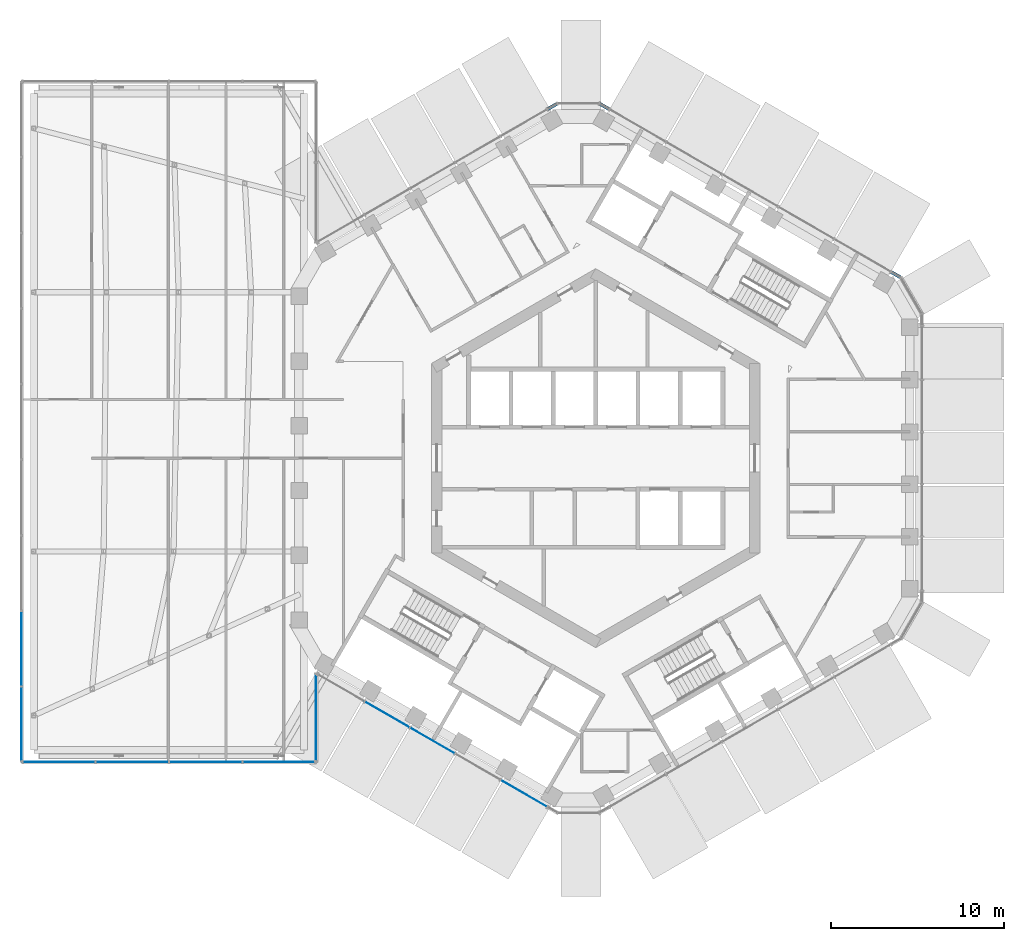
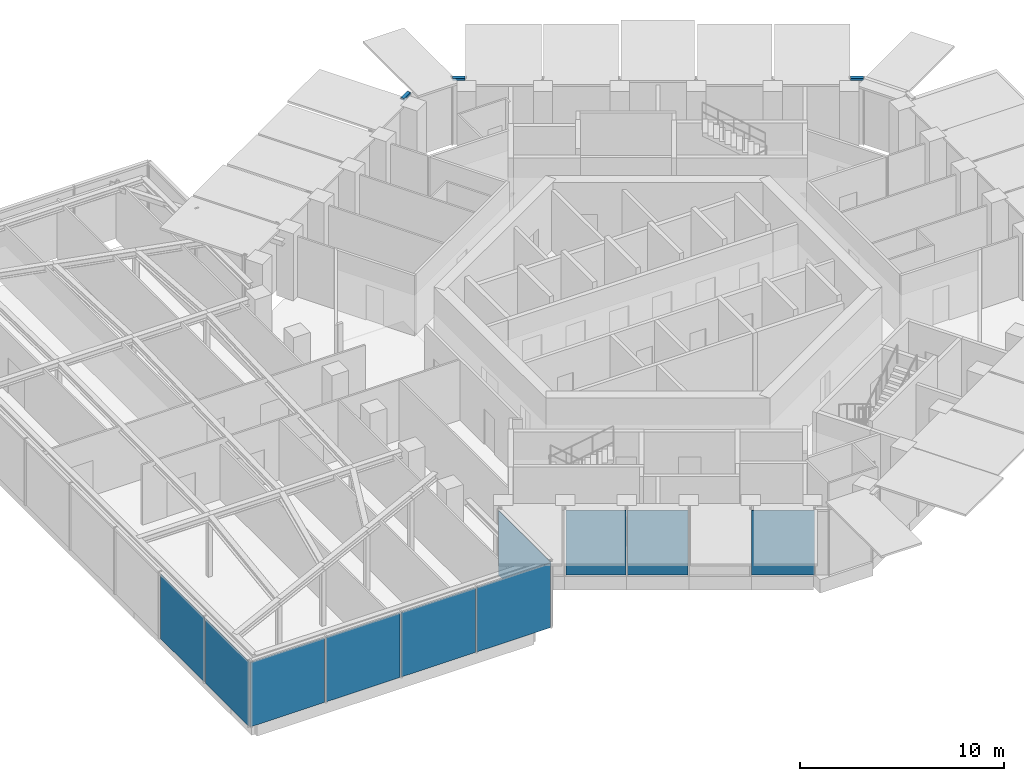
# One storey, part 9 of 24: 10 plates, 3 members, 6 elements without a shape of their own.
"""IFC4 building model written with IfcOpenShell, lengths in metres."""

from ifc_helpers import new_model, si_unit, direction, frame, origin, origin_2d, place, context, subcontext, project, spatial, rectangle, extrude, material, layer, layer_set, material_profile, profile_set, type_object, element, aggregate, save


model = new_model("IFC4")

# Units and contexts
model_context = context("Model", 3, precision=1e-05, world=origin(), true_north=direction((0.0, 1.0)))
body_context = subcontext(model_context, "Body", "Model", "MODEL_VIEW")
ifc_project = project(units=[si_unit("LENGTHUNIT", "METRE"), si_unit("AREAUNIT", "SQUARE_METRE"), si_unit("VOLUMEUNIT", "CUBIC_METRE"), si_unit("PLANEANGLEUNIT", "RADIAN"), si_unit("MASSUNIT", "GRAM", prefix="KILO")], contexts=[model_context])

# Site, building, storey
site_placement = place(None, origin())
site = spatial("IfcSite", under=ifc_project, at=site_placement, CompositionType="ELEMENT")
building_placement = place(site_placement, origin())
building = spatial("IfcBuilding", under=site, at=building_placement, Name="Ayvan Gate Tower", CompositionType="ELEMENT")
storey_placement = place(building_placement, frame((0.0, 0.0, 210.10009765625)))
storey = spatial("IfcBuildingStorey", under=building, at=storey_placement, Name="L56", CompositionType="ELEMENT", Elevation=210.10009765625)

# Curtain wall, member
ifc_material_1 = material(Name="Bronze anodised aluminium", Category="aluminium")
ifc_layer_1 = layer(ifc_material_1, 0.199951171875)
ifc_layer_set_1 = layer_set([ifc_layer_1], Name="Bronze anodised aluminium")
curtain_wall_type_1 = type_object("IfcCurtainWallType", Name="Stick curtain wall CW-6", PredefinedType="NOTDEFINED", material=ifc_layer_set_1)
curtain_wall_1_placement = place(storey_placement, origin())
curtain_wall_1 = element("IfcCurtainWall", 1, at=curtain_wall_1_placement, inside=storey, type_object=curtain_wall_type_1, Name="Stick curtain wall CW-6 L56", PredefinedType="NOTDEFINED")
ifc_material_profile = material_profile(ifc_material_1, rectangle(XDim=0.199951171875, YDim=0.1201171875, at=origin_2d()), Name="Stick curtain wall CW-6 transom 200 x 120")
ifc_profile_set = profile_set([ifc_material_profile], Name="Bronze anodised aluminium")
member_type = type_object("IfcMemberType", Name="Stick curtain wall CW-6 transom 200 x 120", PredefinedType="USERDEFINED", material=ifc_profile_set)
member_1_placement = place(storey_placement, frame((17.65771484375, 10.456787109375, 3.93994140625), z_axis=(-0.866022959057, 0.500004234368, 0.0), x_axis=(-0.500004234368, -0.866022959057, 0.0)))
member_1 = element("IfcMember", 2, at=member_1_placement, type_object=member_type, Name="CW-6 transom 3", ObjectType="TRANSOM", PredefinedType="USERDEFINED", context=body_context, shape_type="SweptSolid", body=[
    extrude(rectangle(XDim=0.199951171875, YDim=0.1201171875, at=origin_2d()), origin(), (0.0, 0.0, 1.0), 0.625),
])
aggregate(curtain_wall_1, [member_1])

# Curtain wall, members
curtain_wall_2_placement = place(storey_placement, origin())
curtain_wall_2 = element("IfcCurtainWall", 3, at=curtain_wall_2_placement, inside=storey, type_object=curtain_wall_type_1, Name="Stick curtain wall CW-6 L56", PredefinedType="NOTDEFINED")
member_2_placement = place(storey_placement, frame((0.768310546875, 20.207763671875, 3.93994140625), z_axis=(-0.866022959057, 0.500004234368, 0.0), x_axis=(-0.500004234368, -0.866022959057, 0.0)))
member_2 = element("IfcMember", 4, at=member_2_placement, type_object=member_type, Name="CW-6 transom 1", ObjectType="TRANSOM", PredefinedType="USERDEFINED", context=body_context, shape_type="SweptSolid", body=[
    extrude(rectangle(XDim=0.199951171875, YDim=0.1201171875, at=origin_2d()), origin(), (0.0, 0.0, 1.0), 0.625),
])
member_3_placement = place(storey_placement, frame((-2.23095703125, 20.520263671875, 3.93994140625), z_axis=(-0.866022959057, -0.500004234368, 0.0), x_axis=(0.500004234368, -0.866022959057, 0.0)))
member_3 = element("IfcMember", 5, at=member_3_placement, type_object=member_type, Name="CW-6 transom 2", ObjectType="TRANSOM", PredefinedType="USERDEFINED", context=body_context, shape_type="SweptSolid", body=[
    extrude(rectangle(XDim=0.199951171875, YDim=0.1201171875, at=origin_2d()), origin(), (0.0, 0.0, 1.0), 0.625),
])
aggregate(curtain_wall_2, [member_2, member_3])

# Curtain wall, plates
ifc_layer_2 = layer(ifc_material_1, 0.199951171875)
ifc_layer_set_2 = layer_set([ifc_layer_2], Name="Bronze anodised aluminium")
curtain_wall_type_2 = type_object("IfcCurtainWallType", Name="Stick curtain wall CW-2", PredefinedType="NOTDEFINED", material=ifc_layer_set_2)
curtain_wall_3_placement = place(storey_placement, origin())
curtain_wall_3 = element("IfcCurtainWall", 6, at=curtain_wall_3_placement, inside=storey, type_object=curtain_wall_type_2, Name="Stick curtain wall CW-2 L56", PredefinedType="NOTDEFINED")
ifc_material_2 = material(Name="Clear low-iron laminated glass", Category="glass")
ifc_layer_3 = layer(ifc_material_2, 0.028076171875)
ifc_layer_set_3 = layer_set([ifc_layer_3], Name="Clear low-iron laminated glass")
plate_type_1 = type_object("IfcPlateType", Name="Stick curtain wall CW-2 glass panel", PredefinedType="CURTAIN_PANEL", material=ifc_layer_set_3)
plate_1_placement = place(storey_placement, frame((-12.065673828125, -14.842041015625, 0.0), z_axis=(0.0, 0.0, 1.0), x_axis=(0.866025403784, -0.5, 0.0)))
plate_1 = element("IfcPlate", 7, at=plate_1_placement, type_object=plate_type_1, Name="CW-2 glass panel 2", PredefinedType="CURTAIN_PANEL", context=body_context, shape_type="SweptSolid", body=[
    extrude(rectangle(XDim=2.9580078125, YDim=0.028076171875, at=origin_2d()), origin(), (0.0, 0.0, 1.0), 3.8798828125),
])
plate_2_placement = place(storey_placement, frame((-9.443359375, -16.356201171875, 0.0), z_axis=(0.0, 0.0, 1.0), x_axis=(0.866025403784, -0.5, 0.0)))
plate_2 = element("IfcPlate", 8, at=plate_2_placement, type_object=plate_type_1, Name="CW-2 glass panel 3", PredefinedType="CURTAIN_PANEL", context=body_context, shape_type="SweptSolid", body=[
    extrude(rectangle(XDim=2.9580078125, YDim=0.028076171875, at=origin_2d()), origin(), (0.0, 0.0, 1.0), 3.8798828125),
])
plate_3_placement = place(storey_placement, frame((-4.140625, -19.417724609375, 0.0), z_axis=(0.0, 0.0, 1.0), x_axis=(0.866025403784, -0.5, 0.0)))
plate_3 = element("IfcPlate", 9, at=plate_3_placement, type_object=plate_type_1, Name="CW-2 glass panel 5", PredefinedType="CURTAIN_PANEL", context=body_context, shape_type="SweptSolid", body=[
    extrude(rectangle(XDim=3.09033203125, YDim=0.028076171875, at=origin_2d()), origin(), (0.0, 0.0, 1.0), 3.8798828125),
])
aggregate(curtain_wall_3, [plate_1, plate_2, plate_3])

ifc_layer_4 = layer(ifc_material_1, 0.199951171875)
ifc_layer_set_4 = layer_set([ifc_layer_4], Name="Bronze anodised aluminium")
curtain_wall_type_3 = type_object("IfcCurtainWallType", Name="Stick curtain wall CW-4", PredefinedType="NOTDEFINED", material=ifc_layer_set_4)
curtain_wall_4_placement = place(storey_placement, origin())
curtain_wall_4 = element("IfcCurtainWall", 10, at=curtain_wall_4_placement, inside=storey, type_object=curtain_wall_type_3, Name="Stick curtain wall CW-4 L56", PredefinedType="NOTDEFINED")
ifc_layer_5 = layer(ifc_material_2, 0.028076171875)
ifc_layer_set_5 = layer_set([ifc_layer_5], Name="Clear low-iron laminated glass")
plate_type_2 = type_object("IfcPlateType", Name="Stick curtain wall CW-4 glass panel", PredefinedType="CURTAIN_PANEL", material=ifc_layer_set_5)
plate_4_placement = place(storey_placement, frame((-33.224365234375, -11.033447265625, 0.0), z_axis=(0.0, 0.0, 1.0), x_axis=(0.0, -1.0, 0.0)))
plate_4 = element("IfcPlate", 11, at=plate_4_placement, type_object=plate_type_2, Name="CW-4 glass panel 8", PredefinedType="CURTAIN_PANEL", context=body_context, shape_type="SweptSolid", body=[
    extrude(rectangle(XDim=4.2978515625, YDim=0.028076171875, at=origin_2d()), origin(), (0.0, 0.0, 1.0), 3.860107421875),
])
plate_5_placement = place(storey_placement, frame((-33.224365234375, -15.4111328125, 0.0), z_axis=(0.0, 0.0, 1.0), x_axis=(0.0, -1.0, 0.0)))
plate_5 = element("IfcPlate", 12, at=plate_5_placement, type_object=plate_type_2, Name="CW-4 glass panel 9", PredefinedType="CURTAIN_PANEL", context=body_context, shape_type="SweptSolid", body=[
    extrude(rectangle(XDim=4.2978515625, YDim=0.028076171875, at=origin_2d()), origin(), (0.0, 0.0, 1.0), 3.860107421875),
])
aggregate(curtain_wall_4, [plate_4, plate_5])

curtain_wall_5_placement = place(storey_placement, origin())
curtain_wall_5 = element("IfcCurtainWall", 13, at=curtain_wall_5_placement, inside=storey, type_object=curtain_wall_type_3, Name="Stick curtain wall CW-4 L56", PredefinedType="NOTDEFINED")
plate_6_placement = place(storey_placement, frame((-31.09423828125, -17.60009765625, 0.0), z_axis=(0.0, 0.0, 1.0), x_axis=(1.0, 0.0, 0.0)))
plate_6 = element("IfcPlate", 14, at=plate_6_placement, type_object=plate_type_2, Name="CW-4 glass panel 1", PredefinedType="CURTAIN_PANEL", context=body_context, shape_type="SweptSolid", body=[
    extrude(rectangle(XDim=4.179931640625, YDim=0.028076171875, at=origin_2d()), origin(), (0.0, 0.0, 1.0), 3.860107421875),
])
plate_7_placement = place(storey_placement, frame((-22.574462890625, -17.60009765625, 0.0), z_axis=(0.0, 0.0, 1.0), x_axis=(1.0, 0.0, 0.0)))
plate_7 = element("IfcPlate", 15, at=plate_7_placement, type_object=plate_type_2, Name="CW-4 glass panel 3", PredefinedType="CURTAIN_PANEL", context=body_context, shape_type="SweptSolid", body=[
    extrude(rectangle(XDim=4.179931640625, YDim=0.028076171875, at=origin_2d()), origin(), (0.0, 0.0, 1.0), 3.860107421875),
])
ifc_material_3 = material(Name="Pale anodised aluminium composite panel", Category="aluminium")
ifc_layer_6 = layer(ifc_material_3, 0.028076171875)
ifc_layer_set_6 = layer_set([ifc_layer_6], Name="Pale anodised aluminium composite panel")
plate_type_3 = type_object("IfcPlateType", Name="Stick curtain wall CW-4 solid panel", PredefinedType="CURTAIN_PANEL", material=ifc_layer_set_6)
plate_8_placement = place(storey_placement, frame((-26.83447265625, -17.60009765625, 0.0), z_axis=(0.0, 0.0, 1.0), x_axis=(1.0, 0.0, 0.0)))
plate_8 = element("IfcPlate", 16, at=plate_8_placement, type_object=plate_type_3, Name="CW-4 solid panel 2", PredefinedType="CURTAIN_PANEL", context=body_context, shape_type="SweptSolid", body=[
    extrude(rectangle(XDim=4.179931640625, YDim=0.028076171875, at=origin_2d()), origin(), (0.0, 0.0, 1.0), 3.860107421875),
])
plate_9_placement = place(storey_placement, frame((-18.314453125, -17.60009765625, 0.0), z_axis=(0.0, 0.0, 1.0), x_axis=(1.0, 0.0, 0.0)))
plate_9 = element("IfcPlate", 17, at=plate_9_placement, type_object=plate_type_3, Name="CW-4 solid panel 4", PredefinedType="CURTAIN_PANEL", context=body_context, shape_type="SweptSolid", body=[
    extrude(rectangle(XDim=4.179931640625, YDim=0.028076171875, at=origin_2d()), origin(), (0.0, 0.0, 1.0), 3.860107421875),
])
aggregate(curtain_wall_5, [plate_6, plate_8, plate_7, plate_9])

# Curtain wall, plate
curtain_wall_6_placement = place(storey_placement, origin())
curtain_wall_6 = element("IfcCurtainWall", 18, at=curtain_wall_6_placement, inside=storey, type_object=curtain_wall_type_3, Name="Stick curtain wall CW-4 L56", PredefinedType="NOTDEFINED")
plate_10_placement = place(storey_placement, frame((-16.1845703125, -15.017333984375, 0.0), z_axis=(0.0, 0.0, 1.0), x_axis=(0.0, 1.0, 0.0)))
plate_10 = element("IfcPlate", 19, at=plate_10_placement, type_object=plate_type_3, Name="CW-4 solid panel 1", PredefinedType="CURTAIN_PANEL", context=body_context, shape_type="SweptSolid", body=[
    extrude(rectangle(XDim=5.08544921875, YDim=0.028076171875, at=origin_2d()), origin(), (0.0, 0.0, 1.0), 3.860107421875),
])
aggregate(curtain_wall_6, [plate_10])

save(model, "model.ifc")
